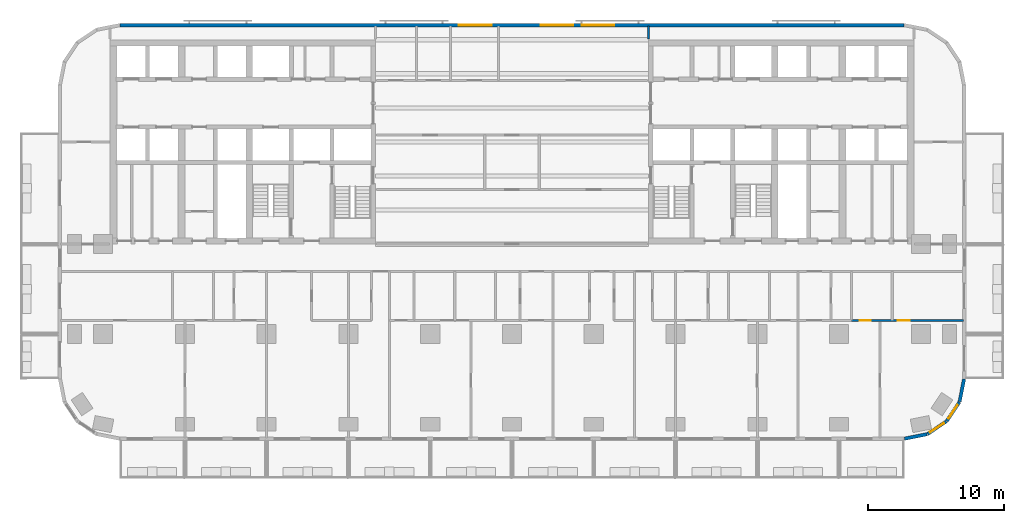
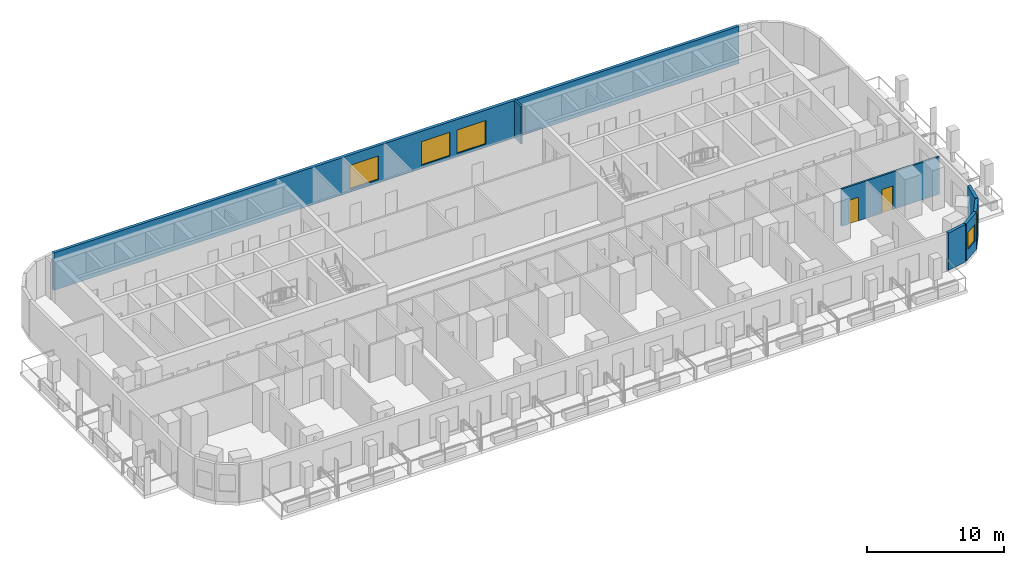
# One storey, part 9 of 15: 7 walls, 5 windows, 2 doors, 7 openings.
"""IFC4 building model written with IfcOpenShell, lengths in metres."""

from ifc_helpers import new_model, si_unit, direction, frame, frame_2d, origin, place, context, subcontext, project, spatial, rectangle, extrude, material, layer, layer_set, type_object, element, fill, save


model = new_model("IFC4")

# Units and contexts
model_context = context("Model", 3, precision=1e-05, world=origin(), true_north=direction((0.0, 1.0)))
body_context = subcontext(model_context, "Body", "Model", "MODEL_VIEW")
ifc_project = project(units=[si_unit("LENGTHUNIT", "METRE"), si_unit("AREAUNIT", "SQUARE_METRE"), si_unit("VOLUMEUNIT", "CUBIC_METRE"), si_unit("PLANEANGLEUNIT", "RADIAN"), si_unit("MASSUNIT", "GRAM", prefix="KILO")], contexts=[model_context])

# Site, building, storey
site_placement = place(None, origin())
site = spatial("IfcSite", under=ifc_project, at=site_placement, CompositionType="ELEMENT")
building_placement = place(site_placement, origin())
building = spatial("IfcBuilding", under=site, at=building_placement, Name="Torana Hotel and Residences", CompositionType="ELEMENT")
storey_placement = place(building_placement, frame((0.0, 0.0, 88.800048828125)))
storey = spatial("IfcBuildingStorey", under=building, at=storey_placement, Name="L22", CompositionType="ELEMENT", Elevation=88.800048828125)

# Wall
ifc_material_1 = material(Name="Black aluminium composite panel", Category="aluminium")
ifc_layer_1 = layer(ifc_material_1, 0.00390625, Name="Cladding", Category="cladding")
ifc_material_2 = material(Name="Ventilated air cavity")
ifc_layer_2 = layer(ifc_material_2, 0.0400390625, Name="Ventilated cavity", Category="cavity")
ifc_material_3 = material(Name="Mineral wool insulation")
ifc_layer_3 = layer(ifc_material_3, 0.090087890625, Name="Insulation", Category="insulation")
ifc_material_4 = material(Name="Steel S280GD", Category="steel")
ifc_layer_4 = layer(ifc_material_4, 0.092041015625, Name="Steel stud frame", Category="structure")
ifc_material_5 = material(Name="Fire rated plasterboard")
ifc_layer_5 = layer(ifc_material_5, 0.011962890625, Name="Inner board", Category="finish")
ifc_layer_6 = layer(ifc_material_5, 0.011962890625, Name="Second board", Category="finish")
ifc_layer_set_1 = layer_set([ifc_layer_1, ifc_layer_2, ifc_layer_3, ifc_layer_4, ifc_layer_5, ifc_layer_6], Name="EW1 EXTERNAL WALL BLACK METAL CLAD 250")
wall_type_1 = type_object("IfcWallType", Name="EW1 EXTERNAL WALL BLACK METAL CLAD 250", PredefinedType="SOLIDWALL", material=ifc_layer_set_1)
wall_1_placement = place(storey_placement, frame((28.7998046875, -29.272705078125, 0.0), z_axis=(0.0, 0.0, 1.0), x_axis=(0.980775640221, 0.19513878023, 0.0)))
element("IfcWall", 1, at=wall_1_placement, inside=storey, type_object=wall_type_1, Name="External wall L22 e0.15", PredefinedType="SOLIDWALL", context=body_context, shape_type="SweptSolid", body=[
    extrude(rectangle(XDim=1.681396484375, YDim=0.25, at=frame_2d((0.8408203125, 0.0))), origin(), (0.0, 0.0, 1.0), 3.320068359375),
])

# Wall, opening, window
wall_2_placement = place(storey_placement, frame((30.493896484375, -28.92578125, 0.0), z_axis=(0.0, 0.0, 1.0), x_axis=(0.831482937015, 0.55555029066, 0.0)))
wall_2 = element("IfcWall", 2, at=wall_2_placement, inside=storey, type_object=wall_type_1, Name="External wall L22 e0.16", PredefinedType="SOLIDWALL", context=body_context, shape_type="SweptSolid", body=[
    extrude(rectangle(XDim=1.65625, YDim=0.25, at=frame_2d((0.828125, 0.0))), origin(), (0.0, 0.0, 1.0), 3.320068359375),
])
opening_1_placement = place(wall_2_placement, frame((0.228271484375, 0.0, 0.89990234375)))
opening_1 = element("IfcOpeningElement", 3, at=opening_1_placement, cuts=wall_2, Name="Opening W5", PredefinedType="OPENING", context=body_context, shape_type="SweptSolid", body=[
    extrude(rectangle(XDim=1.199951171875, YDim=1.5, at=frame_2d((0.60009765625, 0.75))), frame((0.0, 0.135009765625, 0.0), z_axis=(0.0, -1.0, 0.0), x_axis=(1.0, 0.0, 0.0)), (0.0, 0.0, 1.0), 0.27001953125),
])
ifc_material_6 = material(Name="Dark glass in black aluminium frame", Category="aluminium")
window_type_1 = type_object("IfcWindowType", Name="W5 CORNER FACET WINDOW 1200x1500", PartitioningType="SINGLE_PANEL", PredefinedType="WINDOW", material=ifc_material_6)
window_1_placement = place(opening_1_placement, origin())
window_1 = element("IfcWindow", 4, at=window_1_placement, inside=storey, type_object=window_type_1, Name="Window L22 e0.16", OverallHeight=1.5, OverallWidth=1.199951171875, PartitioningType="SINGLE_PANEL", PredefinedType="WINDOW", context=body_context, shape_type="SweptSolid", body=[
    extrude(rectangle(XDim=1.199951171875, YDim=1.5, at=frame_2d((0.60009765625, 0.75))), frame((0.0, 0.030029296875, 0.0), z_axis=(0.0, -1.0, 0.0), x_axis=(1.0, 0.0, 0.0)), (0.0, 0.0, 1.0), 0.06005859375),
])
fill(opening_1, window_1)

wall_3_placement = place(storey_placement, frame((31.90576171875, -27.97119140625, 0.0), z_axis=(0.0, 0.0, 1.0), x_axis=(0.55555029066, 0.831482937015, 0.0)))
wall_3 = element("IfcWall", 5, at=wall_3_placement, inside=storey, type_object=wall_type_1, Name="External wall L22 e0.17", PredefinedType="SOLIDWALL", context=body_context, shape_type="SweptSolid", body=[
    extrude(rectangle(XDim=1.65625, YDim=0.25, at=frame_2d((0.828125, 0.0))), origin(), (0.0, 0.0, 1.0), 3.320068359375),
])
opening_2_placement = place(wall_3_placement, frame((0.228271484375, 0.0, 0.89990234375)))
opening_2 = element("IfcOpeningElement", 6, at=opening_2_placement, cuts=wall_3, Name="Opening W5", PredefinedType="OPENING", context=body_context, shape_type="SweptSolid", body=[
    extrude(rectangle(XDim=1.199951171875, YDim=1.5, at=frame_2d((0.60009765625, 0.75))), frame((0.0, 0.135009765625, 0.0), z_axis=(0.0, -1.0, 0.0), x_axis=(1.0, 0.0, 0.0)), (0.0, 0.0, 1.0), 0.27001953125),
])
window_2_placement = place(opening_2_placement, origin())
window_2 = element("IfcWindow", 7, at=window_2_placement, inside=storey, type_object=window_type_1, Name="Window L22 e0.17", OverallHeight=1.5, OverallWidth=1.199951171875, PartitioningType="SINGLE_PANEL", PredefinedType="WINDOW", context=body_context, shape_type="SweptSolid", body=[
    extrude(rectangle(XDim=1.199951171875, YDim=1.5, at=frame_2d((0.60009765625, 0.75))), frame((0.0, 0.030029296875, 0.0), z_axis=(0.0, -1.0, 0.0), x_axis=(1.0, 0.0, 0.0)), (0.0, 0.0, 1.0), 0.06005859375),
])
fill(opening_2, window_2)

# Wall
wall_4_placement = place(storey_placement, frame((32.844482421875, -26.548828125, 0.0), z_axis=(0.0, 0.0, 1.0), x_axis=(0.195166572128, 0.980770110232, 0.0)))
element("IfcWall", 8, at=wall_4_placement, inside=storey, type_object=wall_type_1, Name="External wall L22 e0.18", PredefinedType="SOLIDWALL", context=body_context, shape_type="SweptSolid", body=[
    extrude(rectangle(XDim=1.68115234375, YDim=0.25, at=frame_2d((0.840576171875, 0.0))), origin(), (0.0, 0.0, 1.0), 3.320068359375),
])

# Wall, openings, windows
ifc_material_7 = material(Name="Concrete C40/50 precast", Category="concrete")
ifc_layer_7 = layer(ifc_material_7, 0.10009765625, Name="Perforated block", Category="cladding")
ifc_material_8 = material(Name="Air cavity")
ifc_layer_8 = layer(ifc_material_8, 0.030029296875, Name="Cavity", Category="cavity")
ifc_material_9 = material(Name="Concrete C40/50", Category="concrete")
ifc_layer_9 = layer(ifc_material_9, 0.10009765625, Name="Wall", Category="structure")
ifc_material_10 = material(Name="Plaster and paint")
ifc_layer_10 = layer(ifc_material_10, 0.02001953125, Name="Inner finish", Category="finish")
ifc_layer_set_2 = layer_set([ifc_layer_7, ifc_layer_8, ifc_layer_9, ifc_layer_10], Name="EW2 PERFORATED BLOCK SCREEN WALL 250")
wall_type_2 = type_object("IfcWallType", Name="EW2 PERFORATED BLOCK SCREEN WALL 250", PredefinedType="SOLIDWALL", material=ifc_layer_set_2)
wall_5_placement = place(storey_placement, frame((28.775390625, 1.074951171875, 0.0), z_axis=(0.0, 0.0, 1.0), x_axis=(-1.0, 0.0, 0.0)))
wall_5 = element("IfcWall", 9, at=wall_5_placement, inside=storey, type_object=wall_type_2, Name="External wall L22 e0.4", PredefinedType="SOLIDWALL", context=body_context, shape_type="SweptSolid", body=[
    extrude(rectangle(XDim=57.55078125, YDim=0.25, at=frame_2d((28.775390625, 0.0))), origin(), (0.0, 0.0, 1.0), 3.320068359375),
])
opening_3_placement = place(wall_5_placement, frame((21.275390625, 0.0, 0.300048828125)))
opening_3 = element("IfcOpeningElement", 10, at=opening_3_placement, cuts=wall_5, Name="Opening W1", PredefinedType="OPENING", context=body_context, shape_type="SweptSolid", body=[
    extrude(rectangle(XDim=2.39990234375, YDim=2.10009765625, at=frame_2d((1.199951171875, 1.050048828125))), frame((0.0, 0.135009765625, 0.0), z_axis=(0.0, -1.0, 0.0), x_axis=(1.0, 0.0, 0.0)), (0.0, 0.0, 1.0), 0.27001953125),
])
opening_4_placement = place(wall_5_placement, frame((24.275390625, 0.0, 0.300048828125)))
opening_4 = element("IfcOpeningElement", 11, at=opening_4_placement, cuts=wall_5, Name="Opening W1", PredefinedType="OPENING", context=body_context, shape_type="SweptSolid", body=[
    extrude(rectangle(XDim=2.39990234375, YDim=2.10009765625, at=frame_2d((1.199951171875, 1.050048828125))), frame((0.0, 0.135009765625, 0.0), z_axis=(0.0, -1.0, 0.0), x_axis=(1.0, 0.0, 0.0)), (0.0, 0.0, 1.0), 0.27001953125),
])
opening_5_placement = place(wall_5_placement, frame((30.275390625, 0.0, 0.300048828125)))
opening_5 = element("IfcOpeningElement", 12, at=opening_5_placement, cuts=wall_5, Name="Opening W1", PredefinedType="OPENING", context=body_context, shape_type="SweptSolid", body=[
    extrude(rectangle(XDim=2.39990234375, YDim=2.10009765625, at=frame_2d((1.199951171875, 1.050048828125))), frame((0.0, 0.135009765625, 0.0), z_axis=(0.0, -1.0, 0.0), x_axis=(1.0, 0.0, 0.0)), (0.0, 0.0, 1.0), 0.27001953125),
])
ifc_material_11 = material(Name="Dark glass in black aluminium frame", Category="aluminium")
window_type_2 = type_object("IfcWindowType", Name="W1 HOTEL ROOM WINDOW 2400x2100", PartitioningType="SINGLE_PANEL", PredefinedType="WINDOW", material=ifc_material_11)
window_3_placement = place(opening_3_placement, origin())
window_3 = element("IfcWindow", 13, at=window_3_placement, inside=storey, type_object=window_type_2, Name="Window L22", OverallHeight=2.10009765625, OverallWidth=2.39990234375, PartitioningType="SINGLE_PANEL", PredefinedType="WINDOW", context=body_context, shape_type="SweptSolid", body=[
    extrude(rectangle(XDim=2.39990234375, YDim=2.10009765625, at=frame_2d((1.199951171875, 1.050048828125))), frame((0.0, 0.030029296875, 0.0), z_axis=(0.0, -1.0, 0.0), x_axis=(1.0, 0.0, 0.0)), (0.0, 0.0, 1.0), 0.06005859375),
])
fill(opening_3, window_3)
window_4_placement = place(opening_4_placement, origin())
window_4 = element("IfcWindow", 14, at=window_4_placement, inside=storey, type_object=window_type_2, Name="Window L22", OverallHeight=2.10009765625, OverallWidth=2.39990234375, PartitioningType="SINGLE_PANEL", PredefinedType="WINDOW", context=body_context, shape_type="SweptSolid", body=[
    extrude(rectangle(XDim=2.39990234375, YDim=2.10009765625, at=frame_2d((1.199951171875, 1.050048828125))), frame((0.0, 0.030029296875, 0.0), z_axis=(0.0, -1.0, 0.0), x_axis=(1.0, 0.0, 0.0)), (0.0, 0.0, 1.0), 0.06005859375),
])
fill(opening_4, window_4)
window_5_placement = place(opening_5_placement, origin())
window_5 = element("IfcWindow", 15, at=window_5_placement, inside=storey, type_object=window_type_2, Name="Window L22", OverallHeight=2.10009765625, OverallWidth=2.39990234375, PartitioningType="SINGLE_PANEL", PredefinedType="WINDOW", context=body_context, shape_type="SweptSolid", body=[
    extrude(rectangle(XDim=2.39990234375, YDim=2.10009765625, at=frame_2d((1.199951171875, 1.050048828125))), frame((0.0, 0.030029296875, 0.0), z_axis=(0.0, -1.0, 0.0), x_axis=(1.0, 0.0, 0.0)), (0.0, 0.0, 1.0), 0.06005859375),
])
fill(opening_5, window_5)

# Wall
ifc_material_12 = material(Name="Gypsum plasterboard")
ifc_layer_11 = layer(ifc_material_12, 0.012451171875, Name="Plasterboard", Category="finish")
ifc_layer_12 = layer(ifc_material_12, 0.012451171875, Name="Plasterboard", Category="finish")
ifc_layer_13 = layer(ifc_material_4, 0.10009765625, Name="Steel studs with mineral wool", Category="insulation")
ifc_layer_14 = layer(ifc_material_12, 0.012451171875, Name="Plasterboard", Category="finish")
ifc_layer_15 = layer(ifc_material_12, 0.012451171875, Name="Plasterboard", Category="finish")
ifc_layer_set_3 = layer_set([ifc_layer_11, ifc_layer_12, ifc_layer_13, ifc_layer_14, ifc_layer_15], Name="PARTITION 150 PLASTERBOARD")
wall_type_3 = type_object("IfcWallType", Name="PARTITION 150 PLASTERBOARD", PredefinedType="PARTITIONING", material=ifc_layer_set_3)
wall_6_placement = place(storey_placement, frame((10.0, 0.050048828125, 0.0), z_axis=(0.0, 0.0, 1.0), x_axis=(0.0, 1.0, 0.0)))
element("IfcWall", 16, at=wall_6_placement, inside=storey, type_object=wall_type_3, Name="Partition L22", PredefinedType="PARTITIONING", context=body_context, shape_type="SweptSolid", body=[
    extrude(rectangle(XDim=0.969970703125, YDim=0.14990234375, at=frame_2d((0.48486328125, 0.0))), origin(), (0.0, 0.0, 1.0), 3.320068359375),
])

# Wall, openings, doors
wall_7_placement = place(storey_placement, frame((24.89990234375, -20.60009765625, 0.0), z_axis=(0.0, 0.0, 1.0), x_axis=(1.0, 0.0, 0.0)))
wall_7 = element("IfcWall", 17, at=wall_7_placement, inside=storey, type_object=wall_type_3, Name="Partition L22", PredefinedType="PARTITIONING", context=body_context, shape_type="SweptSolid", body=[
    extrude(rectangle(XDim=8.22021484375, YDim=0.14990234375, at=frame_2d((4.110107421875, 0.0))), origin(), (0.0, 0.0, 1.0), 3.320068359375),
])
opening_6_placement = place(wall_7_placement, frame((0.6298828125, 0.0, 0.0)))
opening_6 = element("IfcOpeningElement", 18, at=opening_6_placement, cuts=wall_7, Name="Opening L22-81", PredefinedType="OPENING", context=body_context, shape_type="SweptSolid", body=[
    extrude(rectangle(XDim=0.800048828125, YDim=2.10009765625, at=frame_2d((0.39990234375, 1.050048828125))), frame((0.0, 0.0849609375, 0.0), z_axis=(0.0, -1.0, 0.0), x_axis=(1.0, 0.0, 0.0)), (0.0, 0.0, 1.0), 0.169921875),
])
opening_7_placement = place(wall_7_placement, frame((3.39990234375, 0.0, 0.0)))
opening_7 = element("IfcOpeningElement", 19, at=opening_7_placement, cuts=wall_7, Name="Opening L22-82", PredefinedType="OPENING", context=body_context, shape_type="SweptSolid", body=[
    extrude(rectangle(XDim=0.89990234375, YDim=2.10009765625, at=frame_2d((0.449951171875, 1.050048828125))), frame((0.0, 0.0849609375, 0.0), z_axis=(0.0, -1.0, 0.0), x_axis=(1.0, 0.0, 0.0)), (0.0, 0.0, 1.0), 0.169921875),
])
ifc_material_13 = material(Name="Timber door, painted", Category="wood")
door_type_1 = type_object("IfcDoorType", Name="BATH DOOR D13 800x2100", OperationType="SINGLE_SWING_LEFT", PredefinedType="DOOR", material=ifc_material_13)
door_1_placement = place(opening_6_placement, origin())
door_1 = element("IfcDoor", 20, at=door_1_placement, inside=storey, type_object=door_type_1, Name="Door L22", OperationType="SINGLE_SWING_RIGHT", OverallHeight=2.10009765625, OverallWidth=0.800048828125, PredefinedType="DOOR", context=body_context, shape_type="SweptSolid", body=[
    extrude(rectangle(XDim=0.800048828125, YDim=2.10009765625, at=frame_2d((0.39990234375, 1.050048828125))), frame((0.0, 0.02490234375, 0.0), z_axis=(0.0, -1.0, 0.0), x_axis=(1.0, 0.0, 0.0)), (0.0, 0.0, 1.0), 0.050048828125),
])
fill(opening_6, door_1)
ifc_material_14 = material(Name="Timber door, oiled ash", Category="wood")
door_type_2 = type_object("IfcDoorType", Name="ROOM DOOR D7 900x2100", OperationType="SINGLE_SWING_LEFT", PredefinedType="DOOR", material=ifc_material_14)
door_2_placement = place(opening_7_placement, origin())
door_2 = element("IfcDoor", 21, at=door_2_placement, inside=storey, type_object=door_type_2, Name="Door L22", OperationType="SINGLE_SWING_RIGHT", OverallHeight=2.10009765625, OverallWidth=0.89990234375, PredefinedType="DOOR", context=body_context, shape_type="SweptSolid", body=[
    extrude(rectangle(XDim=0.89990234375, YDim=2.10009765625, at=frame_2d((0.449951171875, 1.050048828125))), frame((0.0, 0.02490234375, 0.0), z_axis=(0.0, -1.0, 0.0), x_axis=(1.0, 0.0, 0.0)), (0.0, 0.0, 1.0), 0.050048828125),
])
fill(opening_7, door_2)

save(model, "model.ifc")
